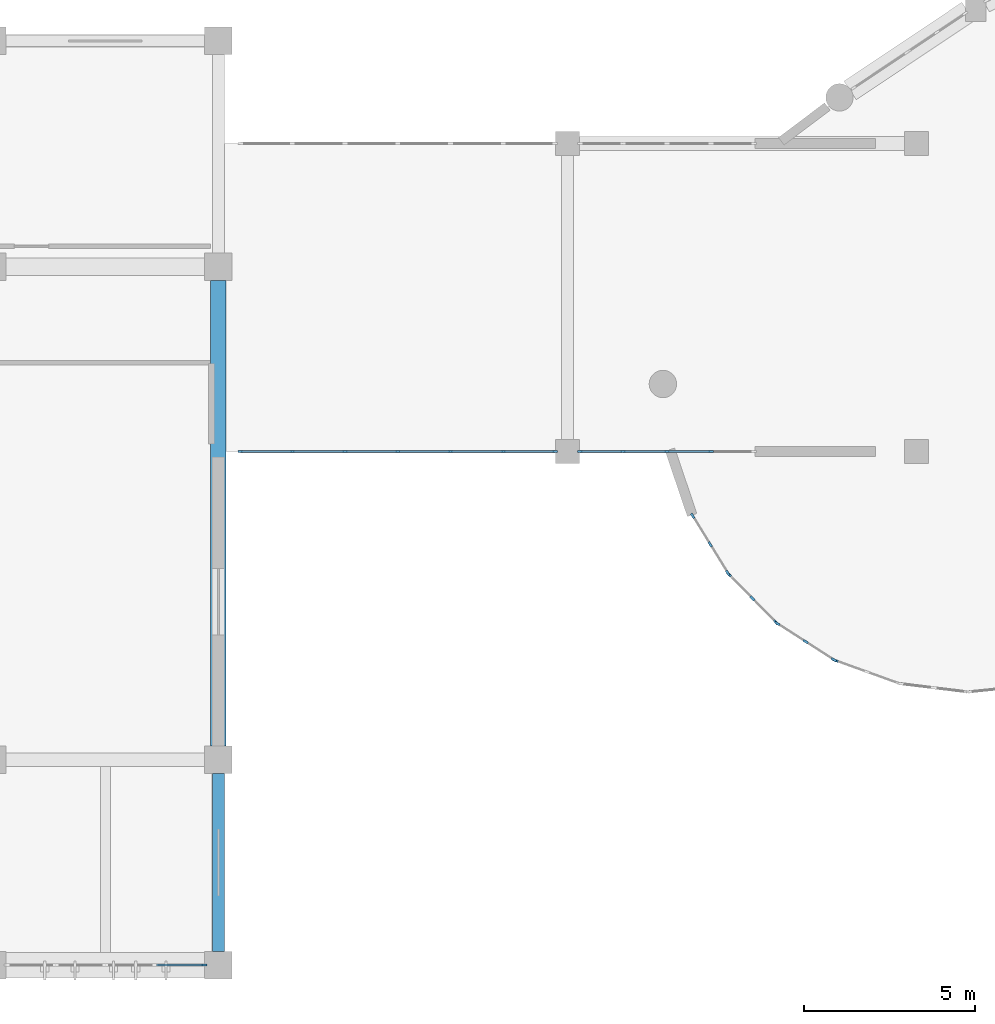
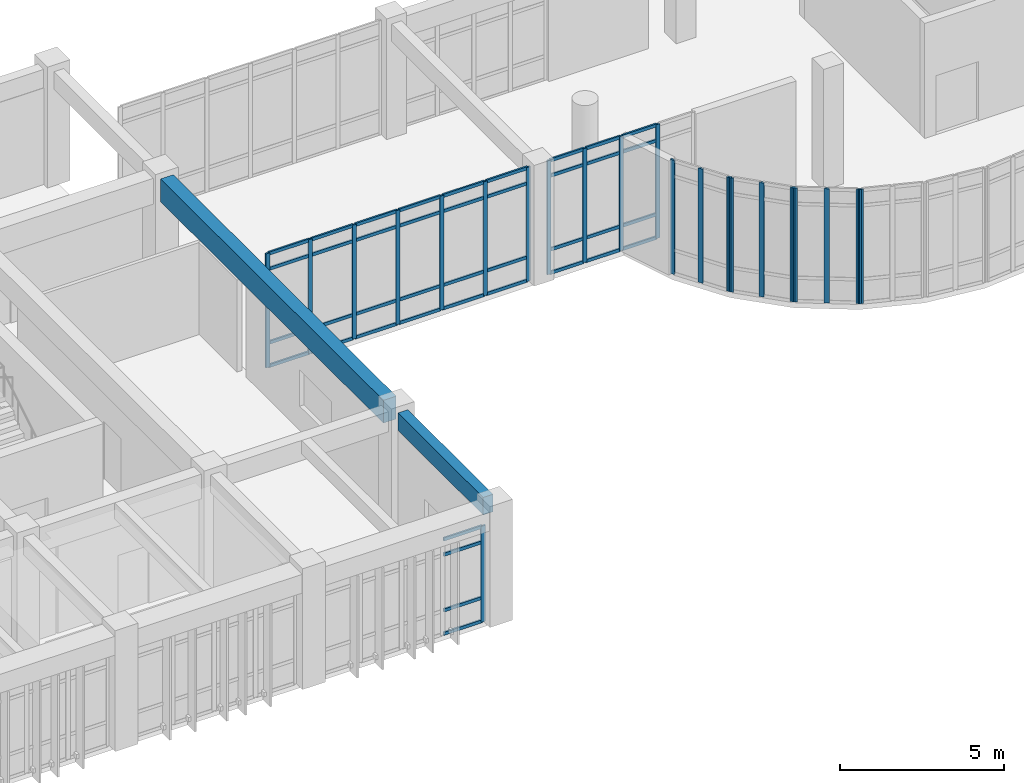
# One storey, part 7 of 54: 62 members, 2 beams, 7 elements without a shape of their own.
"""IFC4 building model written with IfcOpenShell, lengths in metres."""

from ifc_helpers import new_model, si_unit, direction, frame, origin, origin_2d, place, context, subcontext, project, spatial, rectangle, extrude, material, layer, layer_set, material_profile, profile_set, type_object, element, aggregate, save


model = new_model("IFC4")

# Units and contexts
model_context = context("Model", 3, precision=1e-05, world=origin(), true_north=direction((0.0, 1.0)))
body_context = subcontext(model_context, "Body", "Model", "MODEL_VIEW")
ifc_project = project(units=[si_unit("LENGTHUNIT", "METRE"), si_unit("AREAUNIT", "SQUARE_METRE"), si_unit("VOLUMEUNIT", "CUBIC_METRE"), si_unit("PLANEANGLEUNIT", "RADIAN"), si_unit("MASSUNIT", "GRAM", prefix="KILO")], contexts=[model_context])

# Site, building, storey
site_placement = place(None, origin())
site = spatial("IfcSite", under=ifc_project, at=site_placement, CompositionType="ELEMENT")
building_placement = place(site_placement, origin())
building = spatial("IfcBuilding", under=site, at=building_placement, Name="Miralva Faculty of Natural Sciences", CompositionType="ELEMENT")
storey_placement = place(building_placement, frame((0.0, 0.0, 19.5)))
storey = spatial("IfcBuildingStorey", under=building, at=storey_placement, Name="L04", CompositionType="ELEMENT", Elevation=19.5)

# Beams
ifc_material_1 = material(Name="Concrete C40/50", Category="concrete")
ifc_material_profile_1 = material_profile(ifc_material_1, rectangle(XDim=0.449951171875, YDim=0.85009765625, at=origin_2d()), Name="RC 450x850")
ifc_profile_set_1 = profile_set([ifc_material_profile_1], Name="Concrete C40/50")
beam_type_1 = type_object("IfcBeamType", Name="BM-B01", PredefinedType="BEAM", material=ifc_profile_set_1)
beam_1_placement = place(storey_placement, frame((36.0, 9.39990234375, 3.85498046875), z_axis=(0.0, 1.0, 0.0), x_axis=(-1.0, 0.0, 0.0)))
element("IfcBeam", 1, at=beam_1_placement, inside=storey, type_object=beam_type_1, Name="Girder NS L04-73", PredefinedType="BEAM", context=body_context, shape_type="SweptSolid", body=[
    extrude(rectangle(XDim=0.449951171875, YDim=0.85009765625, at=origin_2d()), origin(), (0.0, 0.0, 1.0), 13.60009765625),
])
ifc_material_profile_2 = material_profile(ifc_material_1, rectangle(XDim=0.35009765625, YDim=0.64990234375, at=origin_2d()), Name="RC 350x650")
ifc_profile_set_2 = profile_set([ifc_material_profile_2], Name="Concrete C40/50")
beam_type_2 = type_object("IfcBeamType", Name="BM-B05", PredefinedType="BEAM", material=ifc_profile_set_2)
beam_2_placement = place(storey_placement, frame((36.0, 3.39990234375, 3.955078125), z_axis=(0.0, 1.0, 0.0), x_axis=(-1.0, 0.0, 0.0)))
element("IfcBeam", 2, at=beam_2_placement, inside=storey, type_object=beam_type_2, Name="Girder NS L04-72", PredefinedType="BEAM", context=body_context, shape_type="SweptSolid", body=[
    extrude(rectangle(XDim=0.35009765625, YDim=0.64990234375, at=origin_2d()), origin(), (0.0, 0.0, 1.0), 5.2001953125),
])

# Curtain wall, member
ifc_material_2 = material(Name="Laminated solar-control glass", Category="glass")
ifc_layer_1 = layer(ifc_material_2, 0.179931640625, Name="CW-RND-L03")
ifc_layer_set_1 = layer_set([ifc_layer_1], Name="Laminated solar-control glass")
curtain_wall_type_1 = type_object("IfcCurtainWallType", Name="CW-RND-L03", PredefinedType="USERDEFINED", material=ifc_layer_set_1)
curtain_wall_1_placement = place(storey_placement, origin())
curtain_wall_1 = element("IfcCurtainWall", 3, at=curtain_wall_1_placement, inside=storey, type_object=curtain_wall_type_1, Name="Curtain wall CW-06 L04-193", ObjectType="UNITISED CURTAIN WALL", PredefinedType="USERDEFINED")
ifc_material_3 = material(Name="Anodised aluminium", Category="aluminium")
ifc_material_profile_3 = material_profile(ifc_material_3, rectangle(XDim=0.06494140625, YDim=0.159912109375, at=origin_2d()), Name="MULLION 65x160")
ifc_profile_set_3 = profile_set([ifc_material_profile_3], Name="Anodised aluminium")
member_type_1 = type_object("IfcMemberType", Name="CW-M02", PredefinedType="MULLION", material=ifc_profile_set_3)
member_1_placement = place(storey_placement, frame((54.030517578125, 11.896240234375, 0.0), z_axis=(0.0, 0.0, 1.0), x_axis=(0.339695547876, 0.940535451088, 0.0)))
member_1 = element("IfcMember", 4, at=member_1_placement, type_object=member_type_1, Name="CW-06 mullion 1", PredefinedType="MULLION", context=body_context, shape_type="SweptSolid", body=[
    extrude(rectangle(XDim=0.06494140625, YDim=0.159912109375, at=origin_2d()), origin(), (0.0, 0.0, 1.0), 4.25),
])
aggregate(curtain_wall_1, [member_1])

# Curtain wall, members
curtain_wall_2_placement = place(storey_placement, origin())
curtain_wall_2 = element("IfcCurtainWall", 5, at=curtain_wall_2_placement, inside=storey, type_object=curtain_wall_type_1, Name="Curtain wall CW-06 L04-194", ObjectType="UNITISED CURTAIN WALL", PredefinedType="USERDEFINED")
member_2_placement = place(storey_placement, frame((52.33154296875, 12.978759765625, 0.0), z_axis=(0.0, 0.0, 1.0), x_axis=(0.540444854725, 0.841379438185, 0.0)))
member_2 = element("IfcMember", 6, at=member_2_placement, type_object=member_type_1, Name="CW-06 mullion 1", PredefinedType="MULLION", context=body_context, shape_type="SweptSolid", body=[
    extrude(rectangle(XDim=0.06494140625, YDim=0.159912109375, at=origin_2d()), origin(), (0.0, 0.0, 1.0), 4.25),
])
member_3_placement = place(storey_placement, frame((53.154296875, 12.450439453125, 0.0), z_axis=(0.0, 0.0, 1.0), x_axis=(0.540444854725, 0.841379438185, 0.0)))
member_3 = element("IfcMember", 7, at=member_3_placement, type_object=member_type_1, Name="CW-06 mullion 2", PredefinedType="MULLION", context=body_context, shape_type="SweptSolid", body=[
    extrude(rectangle(XDim=0.06494140625, YDim=0.159912109375, at=origin_2d()), origin(), (0.0, 0.0, 1.0), 4.25),
])
member_4_placement = place(storey_placement, frame((53.976806640625, 11.922119140625, 0.0), z_axis=(0.0, 0.0, 1.0), x_axis=(0.540444854725, 0.841379438185, 0.0)))
member_4 = element("IfcMember", 8, at=member_4_placement, type_object=member_type_1, Name="CW-06 mullion 3", PredefinedType="MULLION", context=body_context, shape_type="SweptSolid", body=[
    extrude(rectangle(XDim=0.06494140625, YDim=0.159912109375, at=origin_2d()), origin(), (0.0, 0.0, 1.0), 4.25),
])
aggregate(curtain_wall_2, [member_2, member_3, member_4])

curtain_wall_3_placement = place(storey_placement, origin())
curtain_wall_3 = element("IfcCurtainWall", 9, at=curtain_wall_3_placement, inside=storey, type_object=curtain_wall_type_1, Name="Curtain wall CW-06 L04-195", ObjectType="UNITISED CURTAIN WALL", PredefinedType="USERDEFINED")
member_5_placement = place(storey_placement, frame((50.916259765625, 14.412353515625, 0.0), z_axis=(0.0, 0.0, 1.0), x_axis=(0.714124749017, 0.700018458929, 0.0)))
member_5 = element("IfcMember", 10, at=member_5_placement, type_object=member_type_1, Name="CW-06 mullion 1", PredefinedType="MULLION", context=body_context, shape_type="SweptSolid", body=[
    extrude(rectangle(XDim=0.06494140625, YDim=0.159912109375, at=origin_2d()), origin(), (0.0, 0.0, 1.0), 4.25),
])
member_6_placement = place(storey_placement, frame((51.6005859375, 13.714111328125, 0.0), z_axis=(0.0, 0.0, 1.0), x_axis=(0.714124749017, 0.700018458929, 0.0)))
member_6 = element("IfcMember", 11, at=member_6_placement, type_object=member_type_1, Name="CW-06 mullion 2", PredefinedType="MULLION", context=body_context, shape_type="SweptSolid", body=[
    extrude(rectangle(XDim=0.06494140625, YDim=0.159912109375, at=origin_2d()), origin(), (0.0, 0.0, 1.0), 4.25),
])
member_7_placement = place(storey_placement, frame((52.28515625, 13.01611328125, 0.0), z_axis=(0.0, 0.0, 1.0), x_axis=(0.714124749017, 0.700018458929, 0.0)))
member_7 = element("IfcMember", 12, at=member_7_placement, type_object=member_type_1, Name="CW-06 mullion 3", PredefinedType="MULLION", context=body_context, shape_type="SweptSolid", body=[
    extrude(rectangle(XDim=0.06494140625, YDim=0.159912109375, at=origin_2d()), origin(), (0.0, 0.0, 1.0), 4.25),
])
aggregate(curtain_wall_3, [member_5, member_6, member_7])

curtain_wall_4_placement = place(storey_placement, origin())
curtain_wall_4 = element("IfcCurtainWall", 13, at=curtain_wall_4_placement, inside=storey, type_object=curtain_wall_type_1, Name="Curtain wall CW-06 L04-196", ObjectType="UNITISED CURTAIN WALL", PredefinedType="USERDEFINED")
member_8_placement = place(storey_placement, frame((49.855224609375, 16.125, 0.0), z_axis=(0.0, 0.0, 1.0), x_axis=(0.851994617353, 0.523550543884, 0.0)))
member_8 = element("IfcMember", 14, at=member_8_placement, type_object=member_type_1, Name="CW-06 mullion 1", PredefinedType="MULLION", context=body_context, shape_type="SweptSolid", body=[
    extrude(rectangle(XDim=0.06494140625, YDim=0.159912109375, at=origin_2d()), origin(), (0.0, 0.0, 1.0), 4.25),
])
member_9_placement = place(storey_placement, frame((50.3671875, 15.2919921875, 0.0), z_axis=(0.0, 0.0, 1.0), x_axis=(0.851994617353, 0.523550543884, 0.0)))
member_9 = element("IfcMember", 15, at=member_9_placement, type_object=member_type_1, Name="CW-06 mullion 2", PredefinedType="MULLION", context=body_context, shape_type="SweptSolid", body=[
    extrude(rectangle(XDim=0.06494140625, YDim=0.159912109375, at=origin_2d()), origin(), (0.0, 0.0, 1.0), 4.25),
])
member_10_placement = place(storey_placement, frame((50.879150390625, 14.458984375, 0.0), z_axis=(0.0, 0.0, 1.0), x_axis=(0.851994617353, 0.523550543884, 0.0)))
member_10 = element("IfcMember", 16, at=member_10_placement, type_object=member_type_1, Name="CW-06 mullion 3", PredefinedType="MULLION", context=body_context, shape_type="SweptSolid", body=[
    extrude(rectangle(XDim=0.06494140625, YDim=0.159912109375, at=origin_2d()), origin(), (0.0, 0.0, 1.0), 4.25),
])
aggregate(curtain_wall_4, [member_8, member_9, member_10])

# Curtain wall, member
ifc_layer_2 = layer(ifc_material_2, 0.179931640625, Name="CW-TWR-L03")
ifc_layer_set_2 = layer_set([ifc_layer_2], Name="Laminated solar-control glass")
curtain_wall_type_2 = type_object("IfcCurtainWallType", Name="CW-TWR-L03", PredefinedType="USERDEFINED", material=ifc_layer_set_2)
curtain_wall_5_placement = place(storey_placement, origin())
curtain_wall_5 = element("IfcCurtainWall", 17, at=curtain_wall_5_placement, inside=storey, type_object=curtain_wall_type_2, Name="Curtain wall CW-14 L04-232", ObjectType="UNITISED CURTAIN WALL", PredefinedType="USERDEFINED")
member_11_placement = place(storey_placement, frame((35.58251953125, 3.0, 0.0), z_axis=(0.0, 0.0, 1.0), x_axis=(0.0, 1.0, 0.0)))
member_11 = element("IfcMember", 18, at=member_11_placement, type_object=member_type_1, Name="CW-14 mullion 5", PredefinedType="MULLION", context=body_context, shape_type="SweptSolid", body=[
    extrude(rectangle(XDim=0.06494140625, YDim=0.159912109375, at=origin_2d()), origin(), (0.0, 0.0, 1.0), 3.574951171875),
])

# Curtain wall, members
ifc_layer_3 = layer(ifc_material_2, 0.179931640625, Name="CW-COM-L01")
ifc_layer_set_3 = layer_set([ifc_layer_3], Name="Laminated solar-control glass")
curtain_wall_type_3 = type_object("IfcCurtainWallType", Name="CW-COM-L01", PredefinedType="USERDEFINED", material=ifc_layer_set_3)
curtain_wall_6_placement = place(storey_placement, origin())
curtain_wall_6 = element("IfcCurtainWall", 19, at=curtain_wall_6_placement, inside=storey, type_object=curtain_wall_type_3, Name="Curtain wall CW-10 L04-306", ObjectType="UNITISED CURTAIN WALL", PredefinedType="USERDEFINED")
ifc_material_profile_4 = material_profile(ifc_material_3, rectangle(XDim=0.06005859375, YDim=0.139892578125, at=origin_2d()), Name="MULLION 60x140")
ifc_profile_set_4 = profile_set([ifc_material_profile_4], Name="Anodised aluminium")
member_type_2 = type_object("IfcMemberType", Name="CW-M03", PredefinedType="MULLION", material=ifc_profile_set_4)
member_12_placement = place(storey_placement, frame((36.64990234375, 18.0, 0.0), z_axis=(0.0, 0.0, 1.0), x_axis=(0.0, 1.0, 0.0)))
member_12 = element("IfcMember", 20, at=member_12_placement, type_object=member_type_2, Name="CW-10 mullion 1", PredefinedType="MULLION", context=body_context, shape_type="SweptSolid", body=[
    extrude(rectangle(XDim=0.06005859375, YDim=0.139892578125, at=origin_2d()), origin(), (0.0, 0.0, 1.0), 4.25),
])
member_13_placement = place(storey_placement, frame((38.160888671875, 18.0, 0.0), z_axis=(0.0, 0.0, 1.0), x_axis=(0.0, 1.0, 0.0)))
member_13 = element("IfcMember", 21, at=member_13_placement, type_object=member_type_2, Name="CW-10 mullion 2", PredefinedType="MULLION", context=body_context, shape_type="SweptSolid", body=[
    extrude(rectangle(XDim=0.06005859375, YDim=0.139892578125, at=origin_2d()), origin(), (0.0, 0.0, 1.0), 4.25),
])
member_14_placement = place(storey_placement, frame((39.70166015625, 18.0, 0.0), z_axis=(0.0, 0.0, 1.0), x_axis=(0.0, 1.0, 0.0)))
member_14 = element("IfcMember", 22, at=member_14_placement, type_object=member_type_2, Name="CW-10 mullion 3", PredefinedType="MULLION", context=body_context, shape_type="SweptSolid", body=[
    extrude(rectangle(XDim=0.06005859375, YDim=0.139892578125, at=origin_2d()), origin(), (0.0, 0.0, 1.0), 4.25),
])
member_15_placement = place(storey_placement, frame((41.242431640625, 18.0, 0.0), z_axis=(0.0, 0.0, 1.0), x_axis=(0.0, 1.0, 0.0)))
member_15 = element("IfcMember", 23, at=member_15_placement, type_object=member_type_2, Name="CW-10 mullion 4", PredefinedType="MULLION", context=body_context, shape_type="SweptSolid", body=[
    extrude(rectangle(XDim=0.06005859375, YDim=0.139892578125, at=origin_2d()), origin(), (0.0, 0.0, 1.0), 4.25),
])
member_16_placement = place(storey_placement, frame((42.783447265625, 18.0, 0.0), z_axis=(0.0, 0.0, 1.0), x_axis=(0.0, 1.0, 0.0)))
member_16 = element("IfcMember", 24, at=member_16_placement, type_object=member_type_2, Name="CW-10 mullion 5", PredefinedType="MULLION", context=body_context, shape_type="SweptSolid", body=[
    extrude(rectangle(XDim=0.06005859375, YDim=0.139892578125, at=origin_2d()), origin(), (0.0, 0.0, 1.0), 4.25),
])
member_17_placement = place(storey_placement, frame((44.32421875, 18.0, 0.0), z_axis=(0.0, 0.0, 1.0), x_axis=(0.0, 1.0, 0.0)))
member_17 = element("IfcMember", 25, at=member_17_placement, type_object=member_type_2, Name="CW-10 mullion 6", PredefinedType="MULLION", context=body_context, shape_type="SweptSolid", body=[
    extrude(rectangle(XDim=0.06005859375, YDim=0.139892578125, at=origin_2d()), origin(), (0.0, 0.0, 1.0), 4.25),
])
member_18_placement = place(storey_placement, frame((45.8349609375, 18.0, 0.0), z_axis=(0.0, 0.0, 1.0), x_axis=(0.0, 1.0, 0.0)))
member_18 = element("IfcMember", 26, at=member_18_placement, type_object=member_type_2, Name="CW-10 mullion 7", PredefinedType="MULLION", context=body_context, shape_type="SweptSolid", body=[
    extrude(rectangle(XDim=0.06005859375, YDim=0.139892578125, at=origin_2d()), origin(), (0.0, 0.0, 1.0), 4.25),
])

curtain_wall_7_placement = place(storey_placement, origin())
curtain_wall_7 = element("IfcCurtainWall", 27, at=curtain_wall_7_placement, inside=storey, type_object=curtain_wall_type_3, Name="Curtain wall CW-10 L04-307", ObjectType="UNITISED CURTAIN WALL", PredefinedType="USERDEFINED")
member_19_placement = place(storey_placement, frame((46.56494140625, 18.0, 0.0), z_axis=(0.0, 0.0, 1.0), x_axis=(0.0, 1.0, 0.0)))
member_19 = element("IfcMember", 28, at=member_19_placement, type_object=member_type_2, Name="CW-10 mullion 1", PredefinedType="MULLION", context=body_context, shape_type="SweptSolid", body=[
    extrude(rectangle(XDim=0.06005859375, YDim=0.139892578125, at=origin_2d()), origin(), (0.0, 0.0, 1.0), 4.25),
])
member_20_placement = place(storey_placement, frame((47.8212890625, 18.0, 0.0), z_axis=(0.0, 0.0, 1.0), x_axis=(0.0, 1.0, 0.0)))
member_20 = element("IfcMember", 29, at=member_20_placement, type_object=member_type_2, Name="CW-10 mullion 2", PredefinedType="MULLION", context=body_context, shape_type="SweptSolid", body=[
    extrude(rectangle(XDim=0.06005859375, YDim=0.139892578125, at=origin_2d()), origin(), (0.0, 0.0, 1.0), 4.25),
])
member_21_placement = place(storey_placement, frame((49.107421875, 18.0, 0.0), z_axis=(0.0, 0.0, 1.0), x_axis=(0.0, 1.0, 0.0)))
member_21 = element("IfcMember", 30, at=member_21_placement, type_object=member_type_2, Name="CW-10 mullion 3", PredefinedType="MULLION", context=body_context, shape_type="SweptSolid", body=[
    extrude(rectangle(XDim=0.06005859375, YDim=0.139892578125, at=origin_2d()), origin(), (0.0, 0.0, 1.0), 4.25),
])
member_22_placement = place(storey_placement, frame((50.393798828125, 18.0, 0.0), z_axis=(0.0, 0.0, 1.0), x_axis=(0.0, 1.0, 0.0)))
member_22 = element("IfcMember", 31, at=member_22_placement, type_object=member_type_2, Name="CW-10 mullion 4", PredefinedType="MULLION", context=body_context, shape_type="SweptSolid", body=[
    extrude(rectangle(XDim=0.06005859375, YDim=0.139892578125, at=origin_2d()), origin(), (0.0, 0.0, 1.0), 4.25),
])

# Member
ifc_material_profile_5 = material_profile(ifc_material_3, rectangle(XDim=0.06005859375, YDim=0.1201171875, at=origin_2d()), Name="TRANSOM 60x120")
ifc_profile_set_5 = profile_set([ifc_material_profile_5], Name="Anodised aluminium")
member_type_3 = type_object("IfcMemberType", Name="CW-T02", PredefinedType="USERDEFINED", material=ifc_profile_set_5)
member_23_placement = place(storey_placement, frame((34.18994140625, 3.0, 0.030029296875), z_axis=(1.0, 0.0, 0.0), x_axis=(0.0, 1.0, 0.0)))
member_23 = element("IfcMember", 32, at=member_23_placement, type_object=member_type_3, Name="CW-14 transom 4.1", ObjectType="TRANSOM", PredefinedType="USERDEFINED", context=body_context, shape_type="SweptSolid", body=[
    extrude(rectangle(XDim=0.06005859375, YDim=0.1201171875, at=origin_2d()), origin(), (0.0, 0.0, 1.0), 1.360107421875),
])

member_24_placement = place(storey_placement, frame((34.18994140625, 3.0, 0.89990234375), z_axis=(1.0, 0.0, 0.0), x_axis=(0.0, 1.0, 0.0)))
member_24 = element("IfcMember", 33, at=member_24_placement, type_object=member_type_3, Name="CW-14 transom 4.2", ObjectType="TRANSOM", PredefinedType="USERDEFINED", context=body_context, shape_type="SweptSolid", body=[
    extrude(rectangle(XDim=0.06005859375, YDim=0.1201171875, at=origin_2d()), origin(), (0.0, 0.0, 1.0), 1.360107421875),
])

member_25_placement = place(storey_placement, frame((34.18994140625, 3.0, 2.97509765625), z_axis=(1.0, 0.0, 0.0), x_axis=(0.0, 1.0, 0.0)))
member_25 = element("IfcMember", 34, at=member_25_placement, type_object=member_type_3, Name="CW-14 transom 4.3", ObjectType="TRANSOM", PredefinedType="USERDEFINED", context=body_context, shape_type="SweptSolid", body=[
    extrude(rectangle(XDim=0.06005859375, YDim=0.1201171875, at=origin_2d()), origin(), (0.0, 0.0, 1.0), 1.360107421875),
])

member_26_placement = place(storey_placement, frame((34.18994140625, 3.0, 3.544921875), z_axis=(1.0, 0.0, 0.0), x_axis=(0.0, 1.0, 0.0)))
member_26 = element("IfcMember", 35, at=member_26_placement, type_object=member_type_3, Name="CW-14 transom 4.4", ObjectType="TRANSOM", PredefinedType="USERDEFINED", context=body_context, shape_type="SweptSolid", body=[
    extrude(rectangle(XDim=0.06005859375, YDim=0.1201171875, at=origin_2d()), origin(), (0.0, 0.0, 1.0), 1.360107421875),
])

aggregate(curtain_wall_5, [member_11, member_23, member_24, member_25, member_26])

member_27_placement = place(storey_placement, frame((36.679931640625, 18.0, 0.030029296875), z_axis=(1.0, 0.0, 0.0), x_axis=(0.0, 1.0, 0.0)))
member_27 = element("IfcMember", 36, at=member_27_placement, type_object=member_type_3, Name="CW-10 transom 1.1", ObjectType="TRANSOM", PredefinedType="USERDEFINED", context=body_context, shape_type="SweptSolid", body=[
    extrude(rectangle(XDim=0.06005859375, YDim=0.1201171875, at=origin_2d()), origin(), (0.0, 0.0, 1.0), 1.450927734375),
])

member_28_placement = place(storey_placement, frame((36.679931640625, 18.0, 0.89990234375), z_axis=(1.0, 0.0, 0.0), x_axis=(0.0, 1.0, 0.0)))
member_28 = element("IfcMember", 37, at=member_28_placement, type_object=member_type_3, Name="CW-10 transom 1.2", ObjectType="TRANSOM", PredefinedType="USERDEFINED", context=body_context, shape_type="SweptSolid", body=[
    extrude(rectangle(XDim=0.06005859375, YDim=0.1201171875, at=origin_2d()), origin(), (0.0, 0.0, 1.0), 1.450927734375),
])

member_29_placement = place(storey_placement, frame((36.679931640625, 18.0, 3.64990234375), z_axis=(1.0, 0.0, 0.0), x_axis=(0.0, 1.0, 0.0)))
member_29 = element("IfcMember", 38, at=member_29_placement, type_object=member_type_3, Name="CW-10 transom 1.3", ObjectType="TRANSOM", PredefinedType="USERDEFINED", context=body_context, shape_type="SweptSolid", body=[
    extrude(rectangle(XDim=0.06005859375, YDim=0.1201171875, at=origin_2d()), origin(), (0.0, 0.0, 1.0), 1.450927734375),
])

member_30_placement = place(storey_placement, frame((36.679931640625, 18.0, 4.219970703125), z_axis=(1.0, 0.0, 0.0), x_axis=(0.0, 1.0, 0.0)))
member_30 = element("IfcMember", 39, at=member_30_placement, type_object=member_type_3, Name="CW-10 transom 1.4", ObjectType="TRANSOM", PredefinedType="USERDEFINED", context=body_context, shape_type="SweptSolid", body=[
    extrude(rectangle(XDim=0.06005859375, YDim=0.1201171875, at=origin_2d()), origin(), (0.0, 0.0, 1.0), 1.450927734375),
])

member_31_placement = place(storey_placement, frame((38.19091796875, 18.0, 0.030029296875), z_axis=(1.0, 0.0, 0.0), x_axis=(0.0, 1.0, 0.0)))
member_31 = element("IfcMember", 40, at=member_31_placement, type_object=member_type_3, Name="CW-10 transom 2.1", ObjectType="TRANSOM", PredefinedType="USERDEFINED", context=body_context, shape_type="SweptSolid", body=[
    extrude(rectangle(XDim=0.06005859375, YDim=0.1201171875, at=origin_2d()), origin(), (0.0, 0.0, 1.0), 1.480712890625),
])

member_32_placement = place(storey_placement, frame((38.19091796875, 18.0, 0.89990234375), z_axis=(1.0, 0.0, 0.0), x_axis=(0.0, 1.0, 0.0)))
member_32 = element("IfcMember", 41, at=member_32_placement, type_object=member_type_3, Name="CW-10 transom 2.2", ObjectType="TRANSOM", PredefinedType="USERDEFINED", context=body_context, shape_type="SweptSolid", body=[
    extrude(rectangle(XDim=0.06005859375, YDim=0.1201171875, at=origin_2d()), origin(), (0.0, 0.0, 1.0), 1.480712890625),
])

member_33_placement = place(storey_placement, frame((38.19091796875, 18.0, 3.64990234375), z_axis=(1.0, 0.0, 0.0), x_axis=(0.0, 1.0, 0.0)))
member_33 = element("IfcMember", 42, at=member_33_placement, type_object=member_type_3, Name="CW-10 transom 2.3", ObjectType="TRANSOM", PredefinedType="USERDEFINED", context=body_context, shape_type="SweptSolid", body=[
    extrude(rectangle(XDim=0.06005859375, YDim=0.1201171875, at=origin_2d()), origin(), (0.0, 0.0, 1.0), 1.480712890625),
])

member_34_placement = place(storey_placement, frame((38.19091796875, 18.0, 4.219970703125), z_axis=(1.0, 0.0, 0.0), x_axis=(0.0, 1.0, 0.0)))
member_34 = element("IfcMember", 43, at=member_34_placement, type_object=member_type_3, Name="CW-10 transom 2.4", ObjectType="TRANSOM", PredefinedType="USERDEFINED", context=body_context, shape_type="SweptSolid", body=[
    extrude(rectangle(XDim=0.06005859375, YDim=0.1201171875, at=origin_2d()), origin(), (0.0, 0.0, 1.0), 1.480712890625),
])

member_35_placement = place(storey_placement, frame((39.731689453125, 18.0, 0.030029296875), z_axis=(1.0, 0.0, 0.0), x_axis=(0.0, 1.0, 0.0)))
member_35 = element("IfcMember", 44, at=member_35_placement, type_object=member_type_3, Name="CW-10 transom 3.1", ObjectType="TRANSOM", PredefinedType="USERDEFINED", context=body_context, shape_type="SweptSolid", body=[
    extrude(rectangle(XDim=0.06005859375, YDim=0.1201171875, at=origin_2d()), origin(), (0.0, 0.0, 1.0), 1.480712890625),
])

member_36_placement = place(storey_placement, frame((39.731689453125, 18.0, 0.89990234375), z_axis=(1.0, 0.0, 0.0), x_axis=(0.0, 1.0, 0.0)))
member_36 = element("IfcMember", 45, at=member_36_placement, type_object=member_type_3, Name="CW-10 transom 3.2", ObjectType="TRANSOM", PredefinedType="USERDEFINED", context=body_context, shape_type="SweptSolid", body=[
    extrude(rectangle(XDim=0.06005859375, YDim=0.1201171875, at=origin_2d()), origin(), (0.0, 0.0, 1.0), 1.480712890625),
])

member_37_placement = place(storey_placement, frame((39.731689453125, 18.0, 3.64990234375), z_axis=(1.0, 0.0, 0.0), x_axis=(0.0, 1.0, 0.0)))
member_37 = element("IfcMember", 46, at=member_37_placement, type_object=member_type_3, Name="CW-10 transom 3.3", ObjectType="TRANSOM", PredefinedType="USERDEFINED", context=body_context, shape_type="SweptSolid", body=[
    extrude(rectangle(XDim=0.06005859375, YDim=0.1201171875, at=origin_2d()), origin(), (0.0, 0.0, 1.0), 1.480712890625),
])

member_38_placement = place(storey_placement, frame((39.731689453125, 18.0, 4.219970703125), z_axis=(1.0, 0.0, 0.0), x_axis=(0.0, 1.0, 0.0)))
member_38 = element("IfcMember", 47, at=member_38_placement, type_object=member_type_3, Name="CW-10 transom 3.4", ObjectType="TRANSOM", PredefinedType="USERDEFINED", context=body_context, shape_type="SweptSolid", body=[
    extrude(rectangle(XDim=0.06005859375, YDim=0.1201171875, at=origin_2d()), origin(), (0.0, 0.0, 1.0), 1.480712890625),
])

member_39_placement = place(storey_placement, frame((41.2724609375, 18.0, 0.030029296875), z_axis=(1.0, 0.0, 0.0), x_axis=(0.0, 1.0, 0.0)))
member_39 = element("IfcMember", 48, at=member_39_placement, type_object=member_type_3, Name="CW-10 transom 4.1", ObjectType="TRANSOM", PredefinedType="USERDEFINED", context=body_context, shape_type="SweptSolid", body=[
    extrude(rectangle(XDim=0.06005859375, YDim=0.1201171875, at=origin_2d()), origin(), (0.0, 0.0, 1.0), 1.48095703125),
])

member_40_placement = place(storey_placement, frame((41.2724609375, 18.0, 0.89990234375), z_axis=(1.0, 0.0, 0.0), x_axis=(0.0, 1.0, 0.0)))
member_40 = element("IfcMember", 49, at=member_40_placement, type_object=member_type_3, Name="CW-10 transom 4.2", ObjectType="TRANSOM", PredefinedType="USERDEFINED", context=body_context, shape_type="SweptSolid", body=[
    extrude(rectangle(XDim=0.06005859375, YDim=0.1201171875, at=origin_2d()), origin(), (0.0, 0.0, 1.0), 1.48095703125),
])

member_41_placement = place(storey_placement, frame((41.2724609375, 18.0, 3.64990234375), z_axis=(1.0, 0.0, 0.0), x_axis=(0.0, 1.0, 0.0)))
member_41 = element("IfcMember", 50, at=member_41_placement, type_object=member_type_3, Name="CW-10 transom 4.3", ObjectType="TRANSOM", PredefinedType="USERDEFINED", context=body_context, shape_type="SweptSolid", body=[
    extrude(rectangle(XDim=0.06005859375, YDim=0.1201171875, at=origin_2d()), origin(), (0.0, 0.0, 1.0), 1.48095703125),
])

member_42_placement = place(storey_placement, frame((41.2724609375, 18.0, 4.219970703125), z_axis=(1.0, 0.0, 0.0), x_axis=(0.0, 1.0, 0.0)))
member_42 = element("IfcMember", 51, at=member_42_placement, type_object=member_type_3, Name="CW-10 transom 4.4", ObjectType="TRANSOM", PredefinedType="USERDEFINED", context=body_context, shape_type="SweptSolid", body=[
    extrude(rectangle(XDim=0.06005859375, YDim=0.1201171875, at=origin_2d()), origin(), (0.0, 0.0, 1.0), 1.48095703125),
])

member_43_placement = place(storey_placement, frame((42.813232421875, 18.0, 0.030029296875), z_axis=(1.0, 0.0, 0.0), x_axis=(0.0, 1.0, 0.0)))
member_43 = element("IfcMember", 52, at=member_43_placement, type_object=member_type_3, Name="CW-10 transom 5.1", ObjectType="TRANSOM", PredefinedType="USERDEFINED", context=body_context, shape_type="SweptSolid", body=[
    extrude(rectangle(XDim=0.06005859375, YDim=0.1201171875, at=origin_2d()), origin(), (0.0, 0.0, 1.0), 1.48095703125),
])

member_44_placement = place(storey_placement, frame((42.813232421875, 18.0, 0.89990234375), z_axis=(1.0, 0.0, 0.0), x_axis=(0.0, 1.0, 0.0)))
member_44 = element("IfcMember", 53, at=member_44_placement, type_object=member_type_3, Name="CW-10 transom 5.2", ObjectType="TRANSOM", PredefinedType="USERDEFINED", context=body_context, shape_type="SweptSolid", body=[
    extrude(rectangle(XDim=0.06005859375, YDim=0.1201171875, at=origin_2d()), origin(), (0.0, 0.0, 1.0), 1.48095703125),
])

member_45_placement = place(storey_placement, frame((42.813232421875, 18.0, 3.64990234375), z_axis=(1.0, 0.0, 0.0), x_axis=(0.0, 1.0, 0.0)))
member_45 = element("IfcMember", 54, at=member_45_placement, type_object=member_type_3, Name="CW-10 transom 5.3", ObjectType="TRANSOM", PredefinedType="USERDEFINED", context=body_context, shape_type="SweptSolid", body=[
    extrude(rectangle(XDim=0.06005859375, YDim=0.1201171875, at=origin_2d()), origin(), (0.0, 0.0, 1.0), 1.48095703125),
])

member_46_placement = place(storey_placement, frame((42.813232421875, 18.0, 4.219970703125), z_axis=(1.0, 0.0, 0.0), x_axis=(0.0, 1.0, 0.0)))
member_46 = element("IfcMember", 55, at=member_46_placement, type_object=member_type_3, Name="CW-10 transom 5.4", ObjectType="TRANSOM", PredefinedType="USERDEFINED", context=body_context, shape_type="SweptSolid", body=[
    extrude(rectangle(XDim=0.06005859375, YDim=0.1201171875, at=origin_2d()), origin(), (0.0, 0.0, 1.0), 1.48095703125),
])

member_47_placement = place(storey_placement, frame((44.354248046875, 18.0, 0.030029296875), z_axis=(1.0, 0.0, 0.0), x_axis=(0.0, 1.0, 0.0)))
member_47 = element("IfcMember", 56, at=member_47_placement, type_object=member_type_3, Name="CW-10 transom 6.1", ObjectType="TRANSOM", PredefinedType="USERDEFINED", context=body_context, shape_type="SweptSolid", body=[
    extrude(rectangle(XDim=0.06005859375, YDim=0.1201171875, at=origin_2d()), origin(), (0.0, 0.0, 1.0), 1.45068359375),
])

member_48_placement = place(storey_placement, frame((44.354248046875, 18.0, 0.89990234375), z_axis=(1.0, 0.0, 0.0), x_axis=(0.0, 1.0, 0.0)))
member_48 = element("IfcMember", 57, at=member_48_placement, type_object=member_type_3, Name="CW-10 transom 6.2", ObjectType="TRANSOM", PredefinedType="USERDEFINED", context=body_context, shape_type="SweptSolid", body=[
    extrude(rectangle(XDim=0.06005859375, YDim=0.1201171875, at=origin_2d()), origin(), (0.0, 0.0, 1.0), 1.45068359375),
])

member_49_placement = place(storey_placement, frame((44.354248046875, 18.0, 3.64990234375), z_axis=(1.0, 0.0, 0.0), x_axis=(0.0, 1.0, 0.0)))
member_49 = element("IfcMember", 58, at=member_49_placement, type_object=member_type_3, Name="CW-10 transom 6.3", ObjectType="TRANSOM", PredefinedType="USERDEFINED", context=body_context, shape_type="SweptSolid", body=[
    extrude(rectangle(XDim=0.06005859375, YDim=0.1201171875, at=origin_2d()), origin(), (0.0, 0.0, 1.0), 1.45068359375),
])

member_50_placement = place(storey_placement, frame((44.354248046875, 18.0, 4.219970703125), z_axis=(1.0, 0.0, 0.0), x_axis=(0.0, 1.0, 0.0)))
member_50 = element("IfcMember", 59, at=member_50_placement, type_object=member_type_3, Name="CW-10 transom 6.4", ObjectType="TRANSOM", PredefinedType="USERDEFINED", context=body_context, shape_type="SweptSolid", body=[
    extrude(rectangle(XDim=0.06005859375, YDim=0.1201171875, at=origin_2d()), origin(), (0.0, 0.0, 1.0), 1.45068359375),
])

aggregate(curtain_wall_6, [member_12, member_13, member_14, member_15, member_16, member_17, member_18, member_27, member_28, member_29, member_30, member_31, member_32, member_33, member_34, member_35, member_36, member_37, member_38, member_39, member_40, member_41, member_42, member_43, member_44, member_45, member_46, member_47, member_48, member_49, member_50])

member_51_placement = place(storey_placement, frame((46.594970703125, 18.0, 0.030029296875), z_axis=(1.0, 0.0, 0.0), x_axis=(0.0, 1.0, 0.0)))
member_51 = element("IfcMember", 60, at=member_51_placement, type_object=member_type_3, Name="CW-10 transom 1.1", ObjectType="TRANSOM", PredefinedType="USERDEFINED", context=body_context, shape_type="SweptSolid", body=[
    extrude(rectangle(XDim=0.06005859375, YDim=0.1201171875, at=origin_2d()), origin(), (0.0, 0.0, 1.0), 1.1962890625),
])

member_52_placement = place(storey_placement, frame((46.594970703125, 18.0, 0.89990234375), z_axis=(1.0, 0.0, 0.0), x_axis=(0.0, 1.0, 0.0)))
member_52 = element("IfcMember", 61, at=member_52_placement, type_object=member_type_3, Name="CW-10 transom 1.2", ObjectType="TRANSOM", PredefinedType="USERDEFINED", context=body_context, shape_type="SweptSolid", body=[
    extrude(rectangle(XDim=0.06005859375, YDim=0.1201171875, at=origin_2d()), origin(), (0.0, 0.0, 1.0), 1.1962890625),
])

member_53_placement = place(storey_placement, frame((46.594970703125, 18.0, 3.64990234375), z_axis=(1.0, 0.0, 0.0), x_axis=(0.0, 1.0, 0.0)))
member_53 = element("IfcMember", 62, at=member_53_placement, type_object=member_type_3, Name="CW-10 transom 1.3", ObjectType="TRANSOM", PredefinedType="USERDEFINED", context=body_context, shape_type="SweptSolid", body=[
    extrude(rectangle(XDim=0.06005859375, YDim=0.1201171875, at=origin_2d()), origin(), (0.0, 0.0, 1.0), 1.1962890625),
])

member_54_placement = place(storey_placement, frame((46.594970703125, 18.0, 4.219970703125), z_axis=(1.0, 0.0, 0.0), x_axis=(0.0, 1.0, 0.0)))
member_54 = element("IfcMember", 63, at=member_54_placement, type_object=member_type_3, Name="CW-10 transom 1.4", ObjectType="TRANSOM", PredefinedType="USERDEFINED", context=body_context, shape_type="SweptSolid", body=[
    extrude(rectangle(XDim=0.06005859375, YDim=0.1201171875, at=origin_2d()), origin(), (0.0, 0.0, 1.0), 1.1962890625),
])

member_55_placement = place(storey_placement, frame((47.851318359375, 18.0, 0.030029296875), z_axis=(1.0, 0.0, 0.0), x_axis=(0.0, 1.0, 0.0)))
member_55 = element("IfcMember", 64, at=member_55_placement, type_object=member_type_3, Name="CW-10 transom 2.1", ObjectType="TRANSOM", PredefinedType="USERDEFINED", context=body_context, shape_type="SweptSolid", body=[
    extrude(rectangle(XDim=0.06005859375, YDim=0.1201171875, at=origin_2d()), origin(), (0.0, 0.0, 1.0), 1.22607421875),
])

member_56_placement = place(storey_placement, frame((47.851318359375, 18.0, 0.89990234375), z_axis=(1.0, 0.0, 0.0), x_axis=(0.0, 1.0, 0.0)))
member_56 = element("IfcMember", 65, at=member_56_placement, type_object=member_type_3, Name="CW-10 transom 2.2", ObjectType="TRANSOM", PredefinedType="USERDEFINED", context=body_context, shape_type="SweptSolid", body=[
    extrude(rectangle(XDim=0.06005859375, YDim=0.1201171875, at=origin_2d()), origin(), (0.0, 0.0, 1.0), 1.22607421875),
])

member_57_placement = place(storey_placement, frame((47.851318359375, 18.0, 3.64990234375), z_axis=(1.0, 0.0, 0.0), x_axis=(0.0, 1.0, 0.0)))
member_57 = element("IfcMember", 66, at=member_57_placement, type_object=member_type_3, Name="CW-10 transom 2.3", ObjectType="TRANSOM", PredefinedType="USERDEFINED", context=body_context, shape_type="SweptSolid", body=[
    extrude(rectangle(XDim=0.06005859375, YDim=0.1201171875, at=origin_2d()), origin(), (0.0, 0.0, 1.0), 1.22607421875),
])

member_58_placement = place(storey_placement, frame((47.851318359375, 18.0, 4.219970703125), z_axis=(1.0, 0.0, 0.0), x_axis=(0.0, 1.0, 0.0)))
member_58 = element("IfcMember", 67, at=member_58_placement, type_object=member_type_3, Name="CW-10 transom 2.4", ObjectType="TRANSOM", PredefinedType="USERDEFINED", context=body_context, shape_type="SweptSolid", body=[
    extrude(rectangle(XDim=0.06005859375, YDim=0.1201171875, at=origin_2d()), origin(), (0.0, 0.0, 1.0), 1.22607421875),
])

member_59_placement = place(storey_placement, frame((49.137451171875, 18.0, 0.030029296875), z_axis=(1.0, 0.0, 0.0), x_axis=(0.0, 1.0, 0.0)))
member_59 = element("IfcMember", 68, at=member_59_placement, type_object=member_type_3, Name="CW-10 transom 3.1", ObjectType="TRANSOM", PredefinedType="USERDEFINED", context=body_context, shape_type="SweptSolid", body=[
    extrude(rectangle(XDim=0.06005859375, YDim=0.1201171875, at=origin_2d()), origin(), (0.0, 0.0, 1.0), 1.226318359375),
])

member_60_placement = place(storey_placement, frame((49.137451171875, 18.0, 0.89990234375), z_axis=(1.0, 0.0, 0.0), x_axis=(0.0, 1.0, 0.0)))
member_60 = element("IfcMember", 69, at=member_60_placement, type_object=member_type_3, Name="CW-10 transom 3.2", ObjectType="TRANSOM", PredefinedType="USERDEFINED", context=body_context, shape_type="SweptSolid", body=[
    extrude(rectangle(XDim=0.06005859375, YDim=0.1201171875, at=origin_2d()), origin(), (0.0, 0.0, 1.0), 1.226318359375),
])

member_61_placement = place(storey_placement, frame((49.137451171875, 18.0, 3.64990234375), z_axis=(1.0, 0.0, 0.0), x_axis=(0.0, 1.0, 0.0)))
member_61 = element("IfcMember", 70, at=member_61_placement, type_object=member_type_3, Name="CW-10 transom 3.3", ObjectType="TRANSOM", PredefinedType="USERDEFINED", context=body_context, shape_type="SweptSolid", body=[
    extrude(rectangle(XDim=0.06005859375, YDim=0.1201171875, at=origin_2d()), origin(), (0.0, 0.0, 1.0), 1.226318359375),
])

member_62_placement = place(storey_placement, frame((49.137451171875, 18.0, 4.219970703125), z_axis=(1.0, 0.0, 0.0), x_axis=(0.0, 1.0, 0.0)))
member_62 = element("IfcMember", 71, at=member_62_placement, type_object=member_type_3, Name="CW-10 transom 3.4", ObjectType="TRANSOM", PredefinedType="USERDEFINED", context=body_context, shape_type="SweptSolid", body=[
    extrude(rectangle(XDim=0.06005859375, YDim=0.1201171875, at=origin_2d()), origin(), (0.0, 0.0, 1.0), 1.226318359375),
])

aggregate(curtain_wall_7, [member_19, member_20, member_21, member_22, member_51, member_52, member_53, member_54, member_55, member_56, member_57, member_58, member_59, member_60, member_61, member_62])

save(model, "model.ifc")
